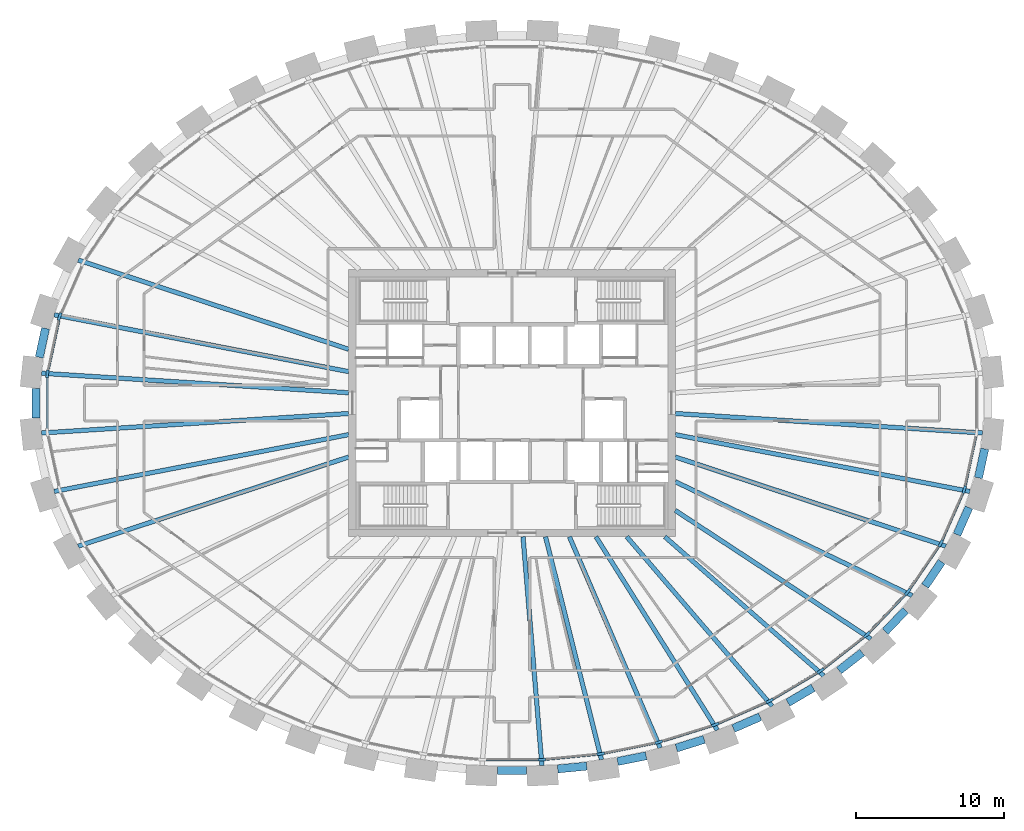
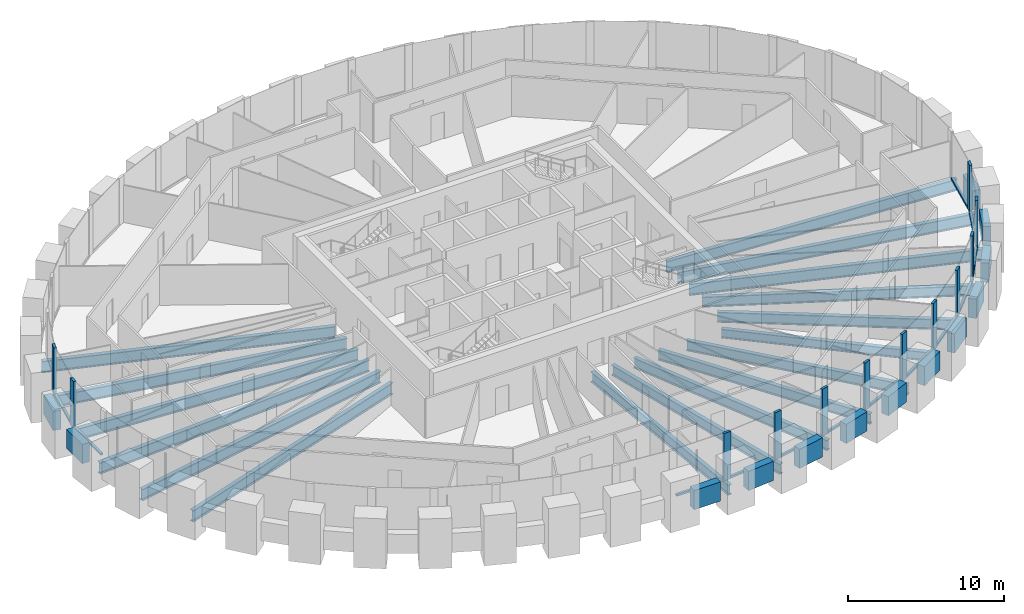
# One storey, part 2 of 12: 30 beams, 25 members, 1 element without a shape of its own.
"""IFC4 building model written with IfcOpenShell, lengths in metres."""

from ifc_helpers import new_model, si_unit, direction, frame, origin, origin_2d, place, context, subcontext, project, spatial, rectangle, i_section, extrude, source, transform, mapped, material, material_profile, profile_set, type_object, element, aggregate, save


model = new_model("IFC4")

# Units and contexts
model_context = context("Model", 3, precision=1e-05, world=origin(), true_north=direction((0.0, 1.0)))
body_context = subcontext(model_context, "Body", "Model", "MODEL_VIEW")
ifc_project = project(units=[si_unit("LENGTHUNIT", "METRE"), si_unit("AREAUNIT", "SQUARE_METRE"), si_unit("VOLUMEUNIT", "CUBIC_METRE"), si_unit("PLANEANGLEUNIT", "RADIAN"), si_unit("MASSUNIT", "GRAM", prefix="KILO")], contexts=[model_context])

# Site, building, storey
site_placement = place(None, origin())
site = spatial("IfcSite", under=ifc_project, at=site_placement, CompositionType="ELEMENT")
building_placement = place(site_placement, origin())
building = spatial("IfcBuilding", under=site, at=building_placement, Name="Embergate Tower", CompositionType="ELEMENT")
storey_placement = place(building_placement, frame((0.0, 0.0, 273.39990234375)))
storey = spatial("IfcBuildingStorey", under=building, at=storey_placement, Name="L63", CompositionType="ELEMENT", Elevation=273.39990234375)

# Beams
ifc_material_1 = material(Name="Concrete C60", Category="concrete")
ifc_material_profile_1 = material_profile(ifc_material_1, rectangle(XDim=0.550048828125, YDim=1.5, at=origin_2d()), Name="RC 550x1500")
ifc_profile_set_1 = profile_set([ifc_material_profile_1], Name="Concrete C60")
beam_type_1 = type_object("IfcBeamType", Name="Spandrel beam RC 550x1500 C60", PredefinedType="BEAM", material=ifc_profile_set_1)
shared_shape_1 = source(origin(), body_context, "Body", "SweptSolid", [
    extrude(rectangle(XDim=0.550048828125, YDim=1.5, at=origin_2d()), origin(), (0.0, 0.0, 1.0), 1.994384765625),
])
for number, where, z_axis, x_axis, name in (
    (1, (-31.423095703125, 5.034912109375, 0.0), (-0.210055720301, -0.977689416108, 0.0), (0.977689416108, -0.210055720301, 0.0), "SPN-L63-20"),
    (2, (31.423095703125, -5.034912109375, 0.0), (0.210055720301, 0.977689416108, 0.0), (-0.977689416108, 0.210055720301, 0.0), "SPN-L63-42"),
):
    element("IfcBeam", number, at=place(storey_placement, frame(where, z_axis=z_axis, x_axis=x_axis)), inside=storey, type_object=beam_type_1, Name=name, PredefinedType="BEAM", context=body_context, shape_type="MappedRepresentation", body=[
        mapped(shared_shape_1, transform((0.0, 0.0, 0.0))),
    ])
shared_shape_2 = source(origin(), body_context, "Body", "SweptSolid", [
    extrude(rectangle(XDim=0.550048828125, YDim=1.5, at=origin_2d()), origin(), (0.0, 0.0, 1.0), 1.989990234375),
])
beam_1_placement = place(storey_placement, frame((29.97705078125, -8.85498046875, 0.0), z_axis=(0.402047764255, 0.915618695341, 0.0), x_axis=(-0.915618695341, 0.402047764255, 0.0)))
element("IfcBeam", 3, at=beam_1_placement, inside=storey, type_object=beam_type_1, Name="SPN-L63-41", PredefinedType="BEAM", context=body_context, shape_type="MappedRepresentation", body=[
    mapped(shared_shape_2, transform((0.0, 0.0, 0.0))),
])
shared_shape_3 = source(origin(), body_context, "Body", "SweptSolid", [
    extrude(rectangle(XDim=0.550048828125, YDim=1.5, at=origin_2d()), origin(), (0.0, 0.0, 1.0), 1.982421875),
])
beam_2_placement = place(storey_placement, frame((27.827880859375, -12.322021484375, 0.0), z_axis=(0.56257611142, 0.82674549824, 0.0), x_axis=(-0.82674549824, 0.56257611142, 0.0)))
element("IfcBeam", 4, at=beam_2_placement, inside=storey, type_object=beam_type_1, Name="SPN-L63-40", PredefinedType="BEAM", context=body_context, shape_type="MappedRepresentation", body=[
    mapped(shared_shape_3, transform((0.0, 0.0, 0.0))),
])
shared_shape_4 = source(origin(), body_context, "Body", "SweptSolid", [
    extrude(rectangle(XDim=0.550048828125, YDim=1.5, at=origin_2d()), origin(), (0.0, 0.0, 1.0), 1.97900390625),
])
beam_3_placement = place(storey_placement, frame((25.14306640625, -15.387939453125, 0.0), z_axis=(0.690255649164, 0.723565573253, 0.0), x_axis=(-0.723565573253, 0.690255649164, 0.0)))
element("IfcBeam", 5, at=beam_3_placement, inside=storey, type_object=beam_type_1, Name="SPN-L63-39", PredefinedType="BEAM", context=body_context, shape_type="MappedRepresentation", body=[
    mapped(shared_shape_4, transform((0.0, 0.0, 0.0))),
])
shared_shape_5 = source(origin(), body_context, "Body", "SweptSolid", [
    extrude(rectangle(XDim=0.550048828125, YDim=1.5, at=origin_2d()), origin(), (0.0, 0.0, 1.0), 1.974853515625),
])
beam_4_placement = place(storey_placement, frame((22.030029296875, -18.011962890625, 0.0), z_axis=(0.788385979859, 0.61518090572, 0.0), x_axis=(-0.61518090572, 0.788385979859, 0.0)))
element("IfcBeam", 6, at=beam_4_placement, inside=storey, type_object=beam_type_1, Name="SPN-L63-38", PredefinedType="BEAM", context=body_context, shape_type="MappedRepresentation", body=[
    mapped(shared_shape_5, transform((0.0, 0.0, 0.0))),
])
shared_shape_6 = source(origin(), body_context, "Body", "SweptSolid", [
    extrude(rectangle(XDim=0.550048828125, YDim=1.5, at=origin_2d()), origin(), (0.0, 0.0, 1.0), 1.969482421875),
])
beam_5_placement = place(storey_placement, frame((18.583984375, -20.174072265625, 0.0), z_axis=(0.862106236571, 0.506727576578, 0.0), x_axis=(-0.506727576578, 0.862106236571, 0.0)))
element("IfcBeam", 7, at=beam_5_placement, inside=storey, type_object=beam_type_1, Name="SPN-L63-37", PredefinedType="BEAM", context=body_context, shape_type="MappedRepresentation", body=[
    mapped(shared_shape_6, transform((0.0, 0.0, 0.0))),
])
shared_shape_7 = source(origin(), body_context, "Body", "SweptSolid", [
    extrude(rectangle(XDim=0.550048828125, YDim=1.5, at=origin_2d()), origin(), (0.0, 0.0, 1.0), 1.96630859375),
])
beam_6_placement = place(storey_placement, frame((14.912109375, -21.916015625, 0.0), z_axis=(0.916393681964, 0.400278177842, 0.0), x_axis=(-0.400278177842, 0.916393681964, 0.0)))
element("IfcBeam", 8, at=beam_6_placement, inside=storey, type_object=beam_type_1, Name="SPN-L63-36", PredefinedType="BEAM", context=body_context, shape_type="MappedRepresentation", body=[
    mapped(shared_shape_7, transform((0.0, 0.0, 0.0))),
])
shared_shape_8 = source(origin(), body_context, "Body", "SweptSolid", [
    extrude(rectangle(XDim=0.550048828125, YDim=1.5, at=origin_2d()), origin(), (0.0, 0.0, 1.0), 1.96484375),
])
beam_7_placement = place(storey_placement, frame((11.069091796875, -23.235107421875, 0.0), z_axis=(0.954771364399, 0.297340951979, 0.0), x_axis=(-0.297340951979, 0.954771364399, 0.0)))
element("IfcBeam", 9, at=beam_7_placement, inside=storey, type_object=beam_type_1, Name="SPN-L63-35", PredefinedType="BEAM", context=body_context, shape_type="MappedRepresentation", body=[
    mapped(shared_shape_8, transform((0.0, 0.0, 0.0))),
])
shared_shape_9 = source(origin(), body_context, "Body", "SweptSolid", [
    extrude(rectangle(XDim=0.550048828125, YDim=1.5, at=origin_2d()), origin(), (0.0, 0.0, 1.0), 1.963134765625),
])
beam_8_placement = place(storey_placement, frame((7.10888671875, -24.139892578125, 0.0), z_axis=(0.980580675691, 0.196116135138, 0.0), x_axis=(-0.196116135138, 0.980580675691, 0.0)))
element("IfcBeam", 10, at=beam_8_placement, inside=storey, type_object=beam_type_1, Name="SPN-L63-34", PredefinedType="BEAM", context=body_context, shape_type="MappedRepresentation", body=[
    mapped(shared_shape_9, transform((0.0, 0.0, 0.0))),
])
shared_shape_10 = source(origin(), body_context, "Body", "SweptSolid", [
    extrude(rectangle(XDim=0.550048828125, YDim=1.5, at=origin_2d()), origin(), (0.0, 0.0, 1.0), 1.96240234375),
])
beam_9_placement = place(storey_placement, frame((3.0791015625, -24.64208984375, 0.0), z_axis=(0.99519482752, 0.097914530474, 0.0), x_axis=(-0.097914530474, 0.99519482752, 0.0)))
element("IfcBeam", 11, at=beam_9_placement, inside=storey, type_object=beam_type_1, Name="SPN-L63-33", PredefinedType="BEAM", context=body_context, shape_type="MappedRepresentation", body=[
    mapped(shared_shape_10, transform((0.0, 0.0, 0.0))),
])
shared_shape_11 = source(origin(), body_context, "Body", "SweptSolid", [
    extrude(rectangle(XDim=0.550048828125, YDim=1.5, at=origin_2d()), origin(), (0.0, 0.0, 1.0), 1.9619140625),
])
beam_10_placement = place(storey_placement, frame((-0.98095703125, -24.7451171875, 0.0), z_axis=(1.0, 0.0, 0.0), x_axis=(0.0, 1.0, 0.0)))
element("IfcBeam", 12, at=beam_10_placement, inside=storey, type_object=beam_type_1, Name="SPN-L63-32", PredefinedType="BEAM", context=body_context, shape_type="MappedRepresentation", body=[
    mapped(shared_shape_11, transform((0.0, 0.0, 0.0))),
])
shared_shape_12 = source(origin(), body_context, "Body", "SweptSolid", [
    extrude(rectangle(XDim=0.550048828125, YDim=1.5, at=origin_2d()), origin(), (0.0, 0.0, 1.0), 1.994140625),
])
beam_11_placement = place(storey_placement, frame((-32.06396484375, 0.9970703125, 0.0), z_axis=(0.0, -1.0, 0.0), x_axis=(1.0, 0.0, 0.0)))
element("IfcBeam", 13, at=beam_11_placement, inside=storey, type_object=beam_type_1, Name="SPN-L63-21", PredefinedType="BEAM", context=body_context, shape_type="MappedRepresentation", body=[
    mapped(shared_shape_12, transform((0.0, 0.0, 0.0))),
])
ifc_material_2 = material(Name="Steel Q355B", Category="steel")
ifc_material_profile_2 = material_profile(ifc_material_2, i_section(OverallWidth=0.300048828125, OverallDepth=0.89990234375, WebThickness=0.01611328125, FlangeThickness=0.028076171875, FilletRadius=0.028076171875, at=origin_2d()), Name="HN 900x300x16x28")
ifc_profile_set_2 = profile_set([ifc_material_profile_2], Name="Steel Q355 grade B")
beam_type_2 = type_object("IfcBeamType", Name="Radial girder HN 900x300x16x28", PredefinedType="BEAM", material=ifc_profile_set_2)
shared_shape_13 = source(origin(), body_context, "Body", "SweptSolid", [
    extrude(i_section(OverallWidth=0.300048828125, OverallDepth=0.89990234375, WebThickness=0.01611328125, FlangeThickness=0.028076171875, FilletRadius=0.028076171875, at=origin_2d()), origin(), (0.0, 0.0, 1.0), 20.730712890625),
])
for number, where, z_axis, x_axis, name in (
    (14, (-31.68896484375, 2.012939453125, -0.64990234375), (0.997989293992, -0.06338271908, 0.0), (0.06338271908, 0.997989293992, 0.0), "GIR-L63-21"),
    (15, (-31.68896484375, -2.012939453125, -0.64990234375), (0.997989293992, 0.06338271908, 0.0), (-0.06338271908, 0.997989293992, 0.0), "GIR-L63-22"),
    (16, (31.68896484375, -2.012939453125, -0.64990234375), (-0.997989293992, 0.06338271908, 0.0), (-0.06338271908, -0.997989293992, 0.0), "GIR-L63-43"),
):
    element("IfcBeam", number, at=place(storey_placement, frame(where, z_axis=z_axis, x_axis=x_axis)), inside=storey, type_object=beam_type_2, Name=name, PredefinedType="BEAM", context=body_context, shape_type="MappedRepresentation", body=[
        mapped(shared_shape_13, transform((0.0, 0.0, 0.0))),
    ])
shared_shape_14 = source(origin(), body_context, "Body", "SweptSolid", [
    extrude(i_section(OverallWidth=0.300048828125, OverallDepth=0.89990234375, WebThickness=0.01611328125, FlangeThickness=0.028076171875, FilletRadius=0.028076171875, at=origin_2d()), origin(), (0.0, 0.0, 1.0), 20.2080078125),
])
for number, where, z_axis, x_axis, name in (
    (17, (-30.842041015625, 5.949951171875, -0.64990234375), (0.981895200214, -0.189424960862, 0.0), (0.189424960862, 0.981895200214, 0.0), "GIR-L63-20"),
    (18, (-30.842041015625, -5.949951171875, -0.64990234375), (0.981895200214, 0.189424960862, 0.0), (-0.189424960862, 0.981895200214, 0.0), "GIR-L63-23"),
    (19, (30.842041015625, -5.949951171875, -0.64990234375), (-0.981895200214, 0.189424960862, 0.0), (-0.189424960862, -0.981895200214, 0.0), "GIR-L63-42"),
):
    element("IfcBeam", number, at=place(storey_placement, frame(where, z_axis=z_axis, x_axis=x_axis)), inside=storey, type_object=beam_type_2, Name=name, PredefinedType="BEAM", context=body_context, shape_type="MappedRepresentation", body=[
        mapped(shared_shape_14, transform((0.0, 0.0, 0.0))),
    ])
shared_shape_15 = source(origin(), body_context, "Body", "SweptSolid", [
    extrude(i_section(OverallWidth=0.300048828125, OverallDepth=0.89990234375, WebThickness=0.01611328125, FlangeThickness=0.028076171875, FilletRadius=0.028076171875, at=origin_2d()), origin(), (0.0, 0.0, 1.0), 19.189453125),
])
for number, where, z_axis, x_axis, name in (
    (20, (-29.22412109375, 9.636962890625, -0.64990234375), (0.949689890727, -0.313191812555, 0.0), (0.313191812555, 0.949689890727, 0.0), "GIR-L63-19"),
    (21, (-29.22412109375, -9.636962890625, -0.64990234375), (0.949689890727, 0.313191812555, 0.0), (-0.313191812555, 0.949689890727, 0.0), "GIR-L63-24"),
    (22, (29.22412109375, -9.636962890625, -0.64990234375), (-0.949689890727, 0.313191812555, 0.0), (-0.313191812555, -0.949689890727, 0.0), "GIR-L63-41"),
):
    element("IfcBeam", number, at=place(storey_placement, frame(where, z_axis=z_axis, x_axis=x_axis)), inside=storey, type_object=beam_type_2, Name=name, PredefinedType="BEAM", context=body_context, shape_type="MappedRepresentation", body=[
        mapped(shared_shape_15, transform((0.0, 0.0, 0.0))),
    ])
ifc_material_profile_3 = material_profile(ifc_material_2, i_section(OverallWidth=0.300048828125, OverallDepth=0.800048828125, WebThickness=0.013916015625, FlangeThickness=0.02587890625, FilletRadius=0.028076171875, at=origin_2d()), Name="HN 800x300x14x26")
ifc_profile_set_3 = profile_set([ifc_material_profile_3], Name="Steel Q355 grade B")
beam_type_3 = type_object("IfcBeamType", Name="Radial girder HN 800x300x14x26", PredefinedType="BEAM", material=ifc_profile_set_3)
shared_shape_16 = source(origin(), body_context, "Body", "SweptSolid", [
    extrude(i_section(OverallWidth=0.300048828125, OverallDepth=0.800048828125, WebThickness=0.013916015625, FlangeThickness=0.02587890625, FilletRadius=0.028076171875, at=origin_2d()), origin(), (0.0, 0.0, 1.0), 17.70947265625),
])
beam_12_placement = place(storey_placement, frame((26.958984375, -12.968994140625, -0.599853515625), z_axis=(-0.901155084862, 0.433496843157, 0.0), x_axis=(-0.433496843157, -0.901155084862, 0.0)))
element("IfcBeam", 23, at=beam_12_placement, inside=storey, type_object=beam_type_3, Name="GIR-L63-40", PredefinedType="BEAM", context=body_context, shape_type="MappedRepresentation", body=[
    mapped(shared_shape_16, transform((0.0, 0.0, 0.0))),
])
shared_shape_17 = source(origin(), body_context, "Body", "SweptSolid", [
    extrude(i_section(OverallWidth=0.300048828125, OverallDepth=0.800048828125, WebThickness=0.013916015625, FlangeThickness=0.02587890625, FilletRadius=0.028076171875, at=origin_2d()), origin(), (0.0, 0.0, 1.0), 15.767578125),
])
beam_13_placement = place(storey_placement, frame((24.177978515625, -15.885009765625, -0.599853515625), z_axis=(-0.835759482959, 0.549095698986, 0.0), x_axis=(-0.549095698986, -0.835759482959, 0.0)))
element("IfcBeam", 24, at=beam_13_placement, inside=storey, type_object=beam_type_3, Name="GIR-L63-39", PredefinedType="BEAM", context=body_context, shape_type="MappedRepresentation", body=[
    mapped(shared_shape_17, transform((0.0, 0.0, 0.0))),
])
ifc_material_profile_4 = material_profile(ifc_material_2, i_section(OverallWidth=0.300048828125, OverallDepth=0.699951171875, WebThickness=0.012939453125, FlangeThickness=0.02392578125, FilletRadius=0.01806640625, at=origin_2d()), Name="HN 700x300x13x24")
ifc_profile_set_4 = profile_set([ifc_material_profile_4], Name="Steel Q355 grade B")
beam_type_4 = type_object("IfcBeamType", Name="Radial girder HN 700x300x13x24", PredefinedType="BEAM", material=ifc_profile_set_4)
shared_shape_18 = source(origin(), body_context, "Body", "SweptSolid", [
    extrude(i_section(OverallWidth=0.300048828125, OverallDepth=0.699951171875, WebThickness=0.012939453125, FlangeThickness=0.02392578125, FilletRadius=0.01806640625, at=origin_2d()), origin(), (0.0, 0.0, 1.0), 14.226318359375),
])
beam_14_placement = place(storey_placement, frame((21.0009765625, -18.364990234375, -0.5498046875), z_axis=(-0.752763768185, 0.658290748308, 0.0), x_axis=(-0.658290748308, -0.752763768185, 0.0)))
element("IfcBeam", 25, at=beam_14_placement, inside=storey, type_object=beam_type_4, Name="GIR-L63-38", PredefinedType="BEAM", context=body_context, shape_type="MappedRepresentation", body=[
    mapped(shared_shape_18, transform((0.0, 0.0, 0.0))),
])
shared_shape_19 = source(origin(), body_context, "Body", "SweptSolid", [
    extrude(i_section(OverallWidth=0.300048828125, OverallDepth=0.800048828125, WebThickness=0.013916015625, FlangeThickness=0.02587890625, FilletRadius=0.028076171875, at=origin_2d()), origin(), (0.0, 0.0, 1.0), 15.03662109375),
])
beam_15_placement = place(storey_placement, frame((17.52490234375, -20.407958984375, -0.599853515625), z_axis=(-0.651467693725, 0.758676376351, 0.0), x_axis=(-0.758676376351, -0.651467693725, 0.0)))
element("IfcBeam", 26, at=beam_15_placement, inside=storey, type_object=beam_type_3, Name="GIR-L63-37", PredefinedType="BEAM", context=body_context, shape_type="MappedRepresentation", body=[
    mapped(shared_shape_19, transform((0.0, 0.0, 0.0))),
])
shared_shape_20 = source(origin(), body_context, "Body", "SweptSolid", [
    extrude(i_section(OverallWidth=0.300048828125, OverallDepth=0.800048828125, WebThickness=0.013916015625, FlangeThickness=0.02587890625, FilletRadius=0.028076171875, at=origin_2d()), origin(), (0.0, 0.0, 1.0), 15.37841796875),
])
beam_16_placement = place(storey_placement, frame((13.83203125, -22.02294921875, -0.599853515625), z_axis=(-0.53184995305, 0.84683860767, 0.0), x_axis=(-0.84683860767, -0.53184995305, 0.0)))
element("IfcBeam", 27, at=beam_16_placement, inside=storey, type_object=beam_type_3, Name="GIR-L63-36", PredefinedType="BEAM", context=body_context, shape_type="MappedRepresentation", body=[
    mapped(shared_shape_20, transform((0.0, 0.0, 0.0))),
])
shared_shape_21 = source(origin(), body_context, "Body", "SweptSolid", [
    extrude(i_section(OverallWidth=0.300048828125, OverallDepth=0.800048828125, WebThickness=0.013916015625, FlangeThickness=0.02587890625, FilletRadius=0.028076171875, at=origin_2d()), origin(), (0.0, 0.0, 1.0), 15.4814453125),
])
beam_17_placement = place(storey_placement, frame((9.98291015625, -23.222900390625, -0.599853515625), z_axis=(-0.394927796759, 0.918712161314, 0.0), x_axis=(-0.918712161314, -0.394927796759, 0.0)))
element("IfcBeam", 28, at=beam_17_placement, inside=storey, type_object=beam_type_3, Name="GIR-L63-35", PredefinedType="BEAM", context=body_context, shape_type="MappedRepresentation", body=[
    mapped(shared_shape_21, transform((0.0, 0.0, 0.0))),
])
shared_shape_22 = source(origin(), body_context, "Body", "SweptSolid", [
    extrude(i_section(OverallWidth=0.300048828125, OverallDepth=0.800048828125, WebThickness=0.013916015625, FlangeThickness=0.02587890625, FilletRadius=0.028076171875, at=origin_2d()), origin(), (0.0, 0.0, 1.0), 15.48095703125),
])
beam_18_placement = place(storey_placement, frame((6.029052734375, -24.014892578125, -0.599853515625), z_axis=(-0.243526249663, 0.969894306471, 0.0), x_axis=(-0.969894306471, -0.243526249663, 0.0)))
element("IfcBeam", 29, at=beam_18_placement, inside=storey, type_object=beam_type_3, Name="GIR-L63-34", PredefinedType="BEAM", context=body_context, shape_type="MappedRepresentation", body=[
    mapped(shared_shape_22, transform((0.0, 0.0, 0.0))),
])
shared_shape_23 = source(origin(), body_context, "Body", "SweptSolid", [
    extrude(i_section(OverallWidth=0.300048828125, OverallDepth=0.800048828125, WebThickness=0.013916015625, FlangeThickness=0.02587890625, FilletRadius=0.028076171875, at=origin_2d()), origin(), (0.0, 0.0, 1.0), 15.46240234375),
])
beam_19_placement = place(storey_placement, frame((2.01611328125, -24.409912109375, -0.599853515625), z_axis=(-0.082341147883, 0.99660420196, 0.0), x_axis=(-0.99660420196, -0.082341147883, 0.0)))
element("IfcBeam", 30, at=beam_19_placement, inside=storey, type_object=beam_type_3, Name="GIR-L63-33", PredefinedType="BEAM", context=body_context, shape_type="MappedRepresentation", body=[
    mapped(shared_shape_23, transform((0.0, 0.0, 0.0))),
])

# Curtain wall, members
ifc_material_3 = material(Name="Aluminium and glass", Category="aluminium")
curtain_wall_type = type_object("IfcCurtainWallType", Name="Recessed office glazing", PredefinedType="NOTDEFINED", material=ifc_material_3)
curtain_wall_placement = place(storey_placement, origin())
curtain_wall = element("IfcCurtainWall", 31, at=curtain_wall_placement, inside=storey, type_object=curtain_wall_type, Name="Recessed office glazing ring", ObjectType="RECESSED OFFICE GLAZING", PredefinedType="USERDEFINED")
ifc_material_4 = material(Name="Aluminium, thermally broken", Category="aluminium")
ifc_material_profile_5 = material_profile(ifc_material_4, rectangle(XDim=0.179931640625, YDim=0.52001953125, at=origin_2d()), Name="AL 520x180")
ifc_profile_set_5 = profile_set([ifc_material_profile_5], Name="Aluminium, thermally broken")
member_type_1 = type_object("IfcMemberType", Name="Office mullion", PredefinedType="MULLION", material=ifc_profile_set_5)
shared_shape_24 = source(origin(), body_context, "Body", "SweptSolid", [
    extrude(rectangle(XDim=0.179931640625, YDim=0.52001953125, at=origin_2d()), origin(), (0.0, 0.0, 1.0), 3.7001953125),
])
member_1_placement = place(storey_placement, frame((-30.47119140625, 5.82861328125, 0.0), z_axis=(0.0, 0.0, 1.0), x_axis=(0.951492965233, -0.307670500881, 0.0)))
member_1 = element("IfcMember", 32, at=member_1_placement, type_object=member_type_1, Name="CW mullion 21", PredefinedType="MULLION", context=body_context, shape_type="MappedRepresentation", body=[
    mapped(shared_shape_24, transform((0.0, 0.0, 0.0))),
])
member_2_placement = place(storey_placement, frame((-31.301513671875, 1.971435546875, 0.0), z_axis=(0.0, 0.0, 1.0), x_axis=(0.994384215926, -0.105830199459, 0.0)))
member_2 = element("IfcMember", 33, at=member_2_placement, type_object=member_type_1, Name="CW mullion 22", PredefinedType="MULLION", context=body_context, shape_type="MappedRepresentation", body=[
    mapped(shared_shape_24, transform((0.0, 0.0, 0.0))),
])
member_3_placement = place(storey_placement, frame((1.9970703125, -24.020263671875, 0.0), z_axis=(0.0, 0.0, 1.0), x_axis=(-0.048970053385, 0.998800247232, 0.0)))
member_3 = element("IfcMember", 34, at=member_3_placement, type_object=member_type_1, Name="CW mullion 34", PredefinedType="MULLION", context=body_context, shape_type="MappedRepresentation", body=[
    mapped(shared_shape_24, transform((0.0, 0.0, 0.0))),
])
member_4_placement = place(storey_placement, frame((5.9716796875, -23.629638671875, 0.0), z_axis=(0.0, 0.0, 1.0), x_axis=(-0.147408930294, 0.989075632735, 0.0)))
member_4 = element("IfcMember", 35, at=member_4_placement, type_object=member_type_1, Name="CW mullion 35", PredefinedType="MULLION", context=body_context, shape_type="MappedRepresentation", body=[
    mapped(shared_shape_24, transform((0.0, 0.0, 0.0))),
])
member_5_placement = place(storey_placement, frame((9.885986328125, -22.844482421875, 0.0), z_axis=(0.0, 0.0, 1.0), x_axis=(-0.24730680803, 0.968937223303, 0.0)))
member_5 = element("IfcMember", 36, at=member_5_placement, type_object=member_type_1, Name="CW mullion 36", PredefinedType="MULLION", context=body_context, shape_type="MappedRepresentation", body=[
    mapped(shared_shape_24, transform((0.0, 0.0, 0.0))),
])
member_6_placement = place(storey_placement, frame((13.69580078125, -21.657958984375, 0.0), z_axis=(0.0, 0.0, 1.0), x_axis=(-0.349496141799, 0.936937803094, 0.0)))
member_6 = element("IfcMember", 37, at=member_6_placement, type_object=member_type_1, Name="CW mullion 37", PredefinedType="MULLION", context=body_context, shape_type="MappedRepresentation", body=[
    mapped(shared_shape_24, transform((0.0, 0.0, 0.0))),
])
member_7_placement = place(storey_placement, frame((17.34912109375, -20.060791015625, 0.0), z_axis=(0.0, 0.0, 1.0), x_axis=(-0.454503607328, 0.89074489666, 0.0)))
member_7 = element("IfcMember", 38, at=member_7_placement, type_object=member_type_1, Name="CW mullion 38", PredefinedType="MULLION", context=body_context, shape_type="MappedRepresentation", body=[
    mapped(shared_shape_24, transform((0.0, 0.0, 0.0))),
])
member_8_placement = place(storey_placement, frame((20.781982421875, -18.042236328125, 0.0), z_axis=(0.0, 0.0, 1.0), x_axis=(-0.562207514921, 0.82699619719, 0.0)))
member_8 = element("IfcMember", 39, at=member_8_placement, type_object=member_type_1, Name="CW mullion 39", PredefinedType="MULLION", context=body_context, shape_type="MappedRepresentation", body=[
    mapped(shared_shape_24, transform((0.0, 0.0, 0.0))),
])
member_9_placement = place(storey_placement, frame((23.9169921875, -15.595703125, 0.0), z_axis=(0.0, 0.0, 1.0), x_axis=(-0.671216184057, 0.741261650337, 0.0)))
member_9 = element("IfcMember", 40, at=member_9_placement, type_object=member_type_1, Name="CW mullion 40", PredefinedType="MULLION", context=body_context, shape_type="MappedRepresentation", body=[
    mapped(shared_shape_24, transform((0.0, 0.0, 0.0))),
])
member_10_placement = place(storey_placement, frame((26.656494140625, -12.72314453125, 0.0), z_axis=(0.0, 0.0, 1.0), x_axis=(-0.777861596203, 0.628435626897, 0.0)))
member_10 = element("IfcMember", 41, at=member_10_placement, type_object=member_type_1, Name="CW mullion 41", PredefinedType="MULLION", context=body_context, shape_type="MappedRepresentation", body=[
    mapped(shared_shape_24, transform((0.0, 0.0, 0.0))),
])
member_11_placement = place(storey_placement, frame((28.8837890625, -9.447998046875, 0.0), z_axis=(0.0, 0.0, 1.0), x_axis=(-0.874992601244, 0.484136290489, 0.0)))
member_11 = element("IfcMember", 42, at=member_11_placement, type_object=member_type_1, Name="CW mullion 42", PredefinedType="MULLION", context=body_context, shape_type="MappedRepresentation", body=[
    mapped(shared_shape_24, transform((0.0, 0.0, 0.0))),
])
member_12_placement = place(storey_placement, frame((30.47119140625, -5.82861328125, 0.0), z_axis=(0.0, 0.0, 1.0), x_axis=(-0.951492965233, 0.307670500881, 0.0)))
member_12 = element("IfcMember", 43, at=member_12_placement, type_object=member_type_1, Name="CW mullion 43", PredefinedType="MULLION", context=body_context, shape_type="MappedRepresentation", body=[
    mapped(shared_shape_24, transform((0.0, 0.0, 0.0))),
])
ifc_material_profile_6 = material_profile(ifc_material_4, rectangle(XDim=0.179931640625, YDim=0.14990234375, at=origin_2d()), Name="AL 150x180")
ifc_profile_set_6 = profile_set([ifc_material_profile_6], Name="Aluminium, thermally broken")
member_type_2 = type_object("IfcMemberType", Name="Office sill transom", PredefinedType="USERDEFINED", material=ifc_profile_set_6)
shared_shape_25 = source(origin(), body_context, "Body", "SweptSolid", [
    extrude(rectangle(XDim=0.179931640625, YDim=0.14990234375, at=origin_2d()), origin(), (0.0, 0.0, 1.0), 3.42529296875),
])
member_13_placement = place(storey_placement, frame((-30.52587890625, 5.57421875, 0.0751953125), z_axis=(-0.210405171299, -0.977614271526, 0.0), x_axis=(0.977614271526, -0.210405171299, 0.0)))
member_13 = element("IfcMember", 44, at=member_13_placement, type_object=member_type_2, Name="CW transom 21.1", ObjectType="TRANSOM", PredefinedType="USERDEFINED", context=body_context, shape_type="MappedRepresentation", body=[
    mapped(shared_shape_25, transform((0.0, 0.0, 0.0))),
])
member_14_placement = place(storey_placement, frame((30.52587890625, -5.57421875, 0.0751953125), z_axis=(0.210405171299, 0.977614271526, 0.0), x_axis=(-0.977614271526, 0.210405171299, 0.0)))
member_14 = element("IfcMember", 45, at=member_14_placement, type_object=member_type_2, Name="CW transom 43.1", ObjectType="TRANSOM", PredefinedType="USERDEFINED", context=body_context, shape_type="MappedRepresentation", body=[
    mapped(shared_shape_25, transform((0.0, 0.0, 0.0))),
])
shared_shape_26 = source(origin(), body_context, "Body", "SweptSolid", [
    extrude(rectangle(XDim=0.179931640625, YDim=0.14990234375, at=origin_2d()), origin(), (0.0, 0.0, 1.0), 3.43212890625),
])
member_15_placement = place(storey_placement, frame((28.98828125, -9.209716796875, 0.0751953125), z_axis=(0.401632188585, 0.915801061963, 0.0), x_axis=(-0.915801061963, 0.401632188585, 0.0)))
member_15 = element("IfcMember", 46, at=member_15_placement, type_object=member_type_2, Name="CW transom 42.1", ObjectType="TRANSOM", PredefinedType="USERDEFINED", context=body_context, shape_type="MappedRepresentation", body=[
    mapped(shared_shape_26, transform((0.0, 0.0, 0.0))),
])
shared_shape_27 = source(origin(), body_context, "Body", "SweptSolid", [
    extrude(rectangle(XDim=0.179931640625, YDim=0.14990234375, at=origin_2d()), origin(), (0.0, 0.0, 1.0), 3.44091796875),
])
member_16_placement = place(storey_placement, frame((26.802490234375, -12.508056640625, 0.0751953125), z_axis=(0.562372122954, 0.826884269607, 0.0), x_axis=(-0.826884269607, 0.562372122954, 0.0)))
member_16 = element("IfcMember", 47, at=member_16_placement, type_object=member_type_2, Name="CW transom 41.1", ObjectType="TRANSOM", PredefinedType="USERDEFINED", context=body_context, shape_type="MappedRepresentation", body=[
    mapped(shared_shape_27, transform((0.0, 0.0, 0.0))),
])
shared_shape_28 = source(origin(), body_context, "Body", "SweptSolid", [
    extrude(rectangle(XDim=0.179931640625, YDim=0.14990234375, at=origin_2d()), origin(), (0.0, 0.0, 1.0), 3.449462890625),
])
member_17_placement = place(storey_placement, frame((24.096435546875, -15.407470703125, 0.0751953125), z_axis=(0.690133956855, 0.723681643815, 0.0), x_axis=(-0.723681643815, 0.690133956855, 0.0)))
member_17 = element("IfcMember", 48, at=member_17_placement, type_object=member_type_2, Name="CW transom 40.1", ObjectType="TRANSOM", PredefinedType="USERDEFINED", context=body_context, shape_type="MappedRepresentation", body=[
    mapped(shared_shape_28, transform((0.0, 0.0, 0.0))),
])
shared_shape_29 = source(origin(), body_context, "Body", "SweptSolid", [
    extrude(rectangle(XDim=0.179931640625, YDim=0.14990234375, at=origin_2d()), origin(), (0.0, 0.0, 1.0), 3.456787109375),
])
member_18_placement = place(storey_placement, frame((20.987060546875, -17.88232421875, 0.0751953125), z_axis=(0.788343354806, 0.615235528016, 0.0), x_axis=(-0.615235528016, 0.788343354806, 0.0)))
member_18 = element("IfcMember", 49, at=member_18_placement, type_object=member_type_2, Name="CW transom 39.1", ObjectType="TRANSOM", PredefinedType="USERDEFINED", context=body_context, shape_type="MappedRepresentation", body=[
    mapped(shared_shape_29, transform((0.0, 0.0, 0.0))),
])
shared_shape_30 = source(origin(), body_context, "Body", "SweptSolid", [
    extrude(rectangle(XDim=0.179931640625, YDim=0.14990234375, at=origin_2d()), origin(), (0.0, 0.0, 1.0), 3.462646484375),
])
member_19_placement = place(storey_placement, frame((17.572998046875, -19.928955078125, 0.0751953125), z_axis=(0.862068308193, 0.506792099394, 0.0), x_axis=(-0.506792099394, 0.862068308193, 0.0)))
member_19 = element("IfcMember", 50, at=member_19_placement, type_object=member_type_2, Name="CW transom 38.1", ObjectType="TRANSOM", PredefinedType="USERDEFINED", context=body_context, shape_type="MappedRepresentation", body=[
    mapped(shared_shape_30, transform((0.0, 0.0, 0.0))),
])
shared_shape_31 = source(origin(), body_context, "Body", "SweptSolid", [
    extrude(rectangle(XDim=0.179931640625, YDim=0.14990234375, at=origin_2d()), origin(), (0.0, 0.0, 1.0), 3.467041015625),
])
member_20_placement = place(storey_placement, frame((13.93408203125, -21.553955078125, 0.0751953125), z_axis=(0.916217122843, 0.400682148104, 0.0), x_axis=(-0.400682148104, 0.916217122843, 0.0)))
member_20 = element("IfcMember", 51, at=member_20_placement, type_object=member_type_2, Name="CW transom 37.1", ObjectType="TRANSOM", PredefinedType="USERDEFINED", context=body_context, shape_type="MappedRepresentation", body=[
    mapped(shared_shape_31, transform((0.0, 0.0, 0.0))),
])
shared_shape_32 = source(origin(), body_context, "Body", "SweptSolid", [
    extrude(rectangle(XDim=0.179931640625, YDim=0.14990234375, at=origin_2d()), origin(), (0.0, 0.0, 1.0), 3.470458984375),
])
member_21_placement = place(storey_placement, frame((10.13427734375, -22.76708984375, 0.0751953125), z_axis=(0.954784910088, 0.297297452846, 0.0), x_axis=(-0.297297452846, 0.954784910088, 0.0)))
member_21 = element("IfcMember", 52, at=member_21_placement, type_object=member_type_2, Name="CW transom 36.1", ObjectType="TRANSOM", PredefinedType="USERDEFINED", context=body_context, shape_type="MappedRepresentation", body=[
    mapped(shared_shape_32, transform((0.0, 0.0, 0.0))),
])
shared_shape_33 = source(origin(), body_context, "Body", "SweptSolid", [
    extrude(rectangle(XDim=0.179931640625, YDim=0.14990234375, at=origin_2d()), origin(), (0.0, 0.0, 1.0), 3.472412109375),
])
member_22_placement = place(storey_placement, frame((6.2265625, -23.578369140625, 0.0751953125), z_axis=(0.980472357372, 0.196656951134, 0.0), x_axis=(-0.196656951134, 0.980472357372, 0.0)))
member_22 = element("IfcMember", 53, at=member_22_placement, type_object=member_type_2, Name="CW transom 35.1", ObjectType="TRANSOM", PredefinedType="USERDEFINED", context=body_context, shape_type="MappedRepresentation", body=[
    mapped(shared_shape_33, transform((0.0, 0.0, 0.0))),
])
shared_shape_34 = source(origin(), body_context, "Body", "SweptSolid", [
    extrude(rectangle(XDim=0.179931640625, YDim=0.14990234375, at=origin_2d()), origin(), (0.0, 0.0, 1.0), 3.4736328125),
])
member_23_placement = place(storey_placement, frame((2.255859375, -23.994873046875, 0.0751953125), z_axis=(0.99520279702, 0.0978334953, 0.0), x_axis=(-0.0978334953, 0.99520279702, 0.0)))
member_23 = element("IfcMember", 54, at=member_23_placement, type_object=member_type_2, Name="CW transom 34.1", ObjectType="TRANSOM", PredefinedType="USERDEFINED", context=body_context, shape_type="MappedRepresentation", body=[
    mapped(shared_shape_34, transform((0.0, 0.0, 0.0))),
])
shared_shape_35 = source(origin(), body_context, "Body", "SweptSolid", [
    extrude(rectangle(XDim=0.179931640625, YDim=0.14990234375, at=origin_2d()), origin(), (0.0, 0.0, 1.0), 3.47412109375),
])
member_24_placement = place(storey_placement, frame((-1.737060546875, -24.020263671875, 0.0751953125), z_axis=(1.0, 0.0, 0.0), x_axis=(0.0, 1.0, 0.0)))
member_24 = element("IfcMember", 55, at=member_24_placement, type_object=member_type_2, Name="CW transom 33.1", ObjectType="TRANSOM", PredefinedType="USERDEFINED", context=body_context, shape_type="MappedRepresentation", body=[
    mapped(shared_shape_35, transform((0.0, 0.0, 0.0))),
])
shared_shape_36 = source(origin(), body_context, "Body", "SweptSolid", [
    extrude(rectangle(XDim=0.179931640625, YDim=0.14990234375, at=origin_2d()), origin(), (0.0, 0.0, 1.0), 3.4228515625),
])
member_25_placement = place(storey_placement, frame((-31.301513671875, 1.71142578125, 0.0751953125), z_axis=(0.0, -1.0, 0.0), x_axis=(1.0, 0.0, 0.0)))
member_25 = element("IfcMember", 56, at=member_25_placement, type_object=member_type_2, Name="CW transom 22.1", ObjectType="TRANSOM", PredefinedType="USERDEFINED", context=body_context, shape_type="MappedRepresentation", body=[
    mapped(shared_shape_36, transform((0.0, 0.0, 0.0))),
])
aggregate(curtain_wall, [member_1, member_2, member_3, member_4, member_5, member_6, member_7, member_8, member_9, member_10, member_11, member_12, member_13, member_25, member_24, member_23, member_22, member_21, member_20, member_19, member_18, member_17, member_16, member_15, member_14])

save(model, "model.ifc")
